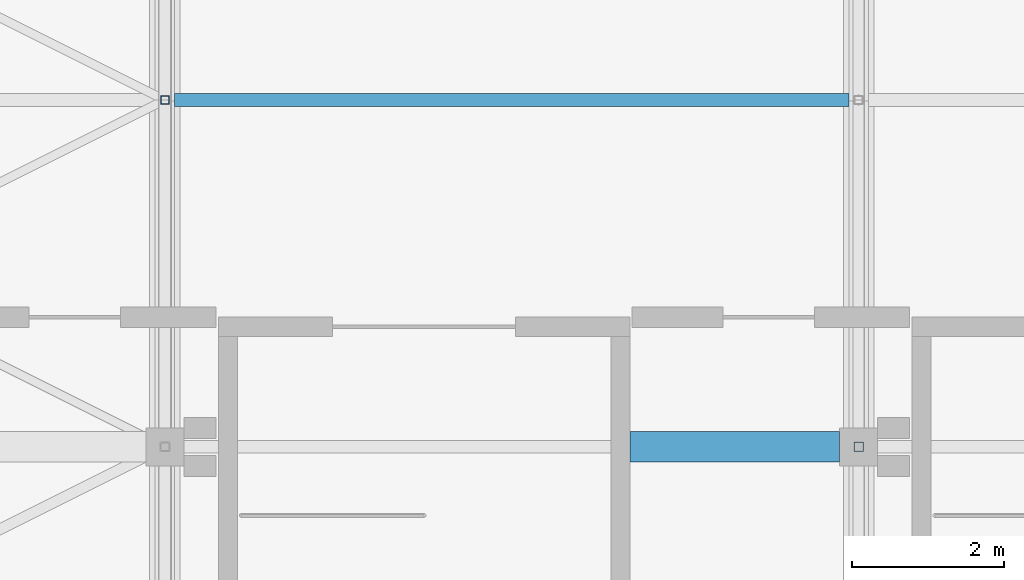
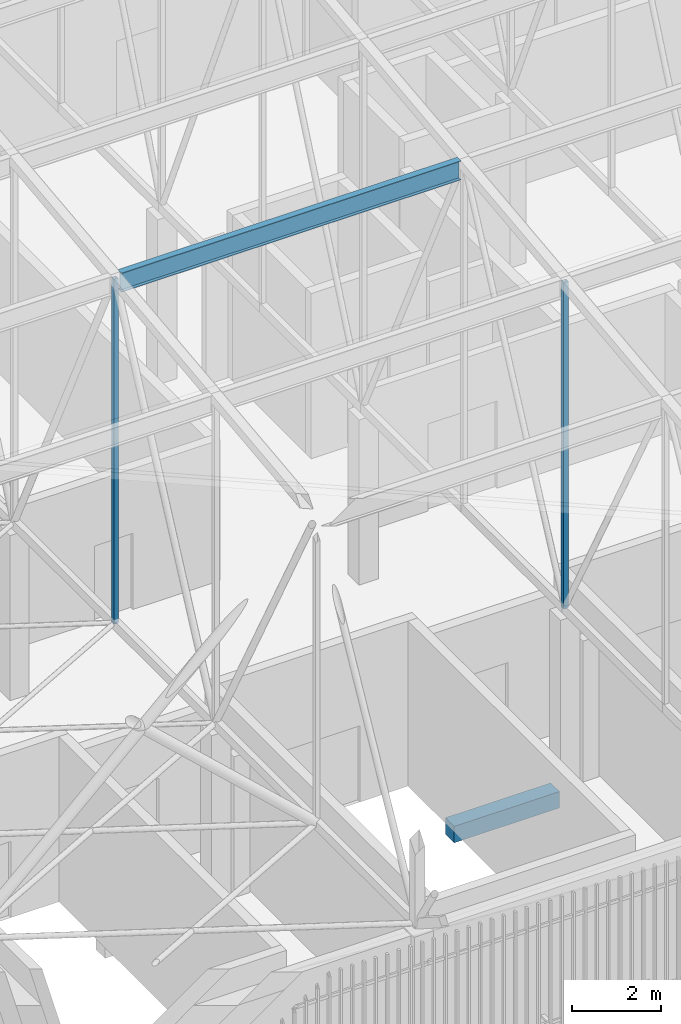
# One storey, part 19 of 500: 3 members, 1 beam.
"""IFC4 building model written with IfcOpenShell, lengths in metres."""

from ifc_helpers import new_model, si_unit, direction, frame, origin, origin_2d, place, context, subcontext, project, spatial, rectangle, hollow_rectangle, i_section, extrude, material, material_profile, profile_set, type_object, element, save


model = new_model("IFC4")

# Units and contexts
model_context = context("Model", 3, precision=1e-05, world=origin(), true_north=direction((0.0, 1.0)))
body_context = subcontext(model_context, "Body", "Model", "MODEL_VIEW")
ifc_project = project(units=[si_unit("LENGTHUNIT", "METRE"), si_unit("AREAUNIT", "SQUARE_METRE"), si_unit("VOLUMEUNIT", "CUBIC_METRE"), si_unit("PLANEANGLEUNIT", "RADIAN"), si_unit("MASSUNIT", "GRAM", prefix="KILO")], contexts=[model_context])

# Site, building, storey
site_placement = place(None, origin())
site = spatial("IfcSite", under=ifc_project, at=site_placement, CompositionType="ELEMENT")
building_placement = place(site_placement, origin())
building = spatial("IfcBuilding", under=site, at=building_placement, Name="Shirokan Park Arena", CompositionType="ELEMENT")
storey_placement = place(building_placement, frame((0.0, 0.0, 29.1201171875)))
storey = spatial("IfcBuildingStorey", under=building, at=storey_placement, Name="L06", CompositionType="ELEMENT", Elevation=29.1201171875)

# Member
ifc_material_1 = material(Name="Steel ASTM A992", Category="steel")
ifc_material_profile_1 = material_profile(ifc_material_1, i_section(OverallWidth=0.166015625, OverallDepth=0.528076171875, WebThickness=0.009765625, FlangeThickness=0.013671875, at=origin_2d()), Name="W530X74")
ifc_profile_set_1 = profile_set([ifc_material_profile_1], Name="Steel ASTM A992")
member_type_1 = type_object("IfcMemberType", Name="Purlin W530X74", PredefinedType="PURLIN", material=ifc_profile_set_1)
member_1_placement = place(storey_placement, frame((9.22705078125, 13.64990234375, 14.0458984375), z_axis=(1.0, 0.0, 0.0), x_axis=(0.0, 1.0, 0.0)))
element("IfcMember", 1, at=member_1_placement, inside=storey, type_object=member_type_1, Name="Purlin 6 bay 2", PredefinedType="PURLIN", context=body_context, shape_type="SweptSolid", body=[
    extrude(i_section(OverallWidth=0.166015625, OverallDepth=0.528076171875, WebThickness=0.009765625, FlangeThickness=0.013671875, at=origin_2d()), origin(), (0.0, 0.0, 1.0), 8.845947265625),
])

# Beam
ifc_material_2 = material(Name="Concrete C35", Category="concrete")
ifc_material_profile_2 = material_profile(ifc_material_2, rectangle(XDim=0.39990234375, YDim=0.449951171875, at=origin_2d()), Name="400x450")
ifc_profile_set_2 = profile_set([ifc_material_profile_2], Name="Concrete C35")
beam_type = type_object("IfcBeamType", Name="RC trimmer 400x450", PredefinedType="BEAM", material=ifc_profile_set_2)
beam_placement = place(storey_placement, frame((15.199951171875, 9.10009765625, -0.425048828125), z_axis=(1.0, 0.0, 0.0), x_axis=(0.0, 1.0, 0.0)))
element("IfcBeam", 2, at=beam_placement, inside=storey, type_object=beam_type, Name="Girder 2B-3B L06", PredefinedType="BEAM", context=body_context, shape_type="SweptSolid", body=[
    extrude(rectangle(XDim=0.39990234375, YDim=0.449951171875, at=origin_2d()), origin(), (0.0, 0.0, 1.0), 2.75),
])

# Members
ifc_material_3 = material(Name="Steel ASTM A500 Grade C", Category="steel")
ifc_material_profile_3 = material_profile(ifc_material_3, hollow_rectangle(XDim=0.114013671875, YDim=0.114013671875, WallThickness=0.00634765625, at=origin_2d()), Name="HSS114.3X114.3X6.4")
ifc_profile_set_3 = profile_set([ifc_material_profile_3], Name="Steel ASTM A500 Grade C")
member_type_2 = type_object("IfcMemberType", Name="Truss post HSS114.3X114.3X6.4", PredefinedType="POST", material=ifc_profile_set_3)
member_2_placement = place(storey_placement, frame((9.10009765625, 13.64990234375, 4.677001953125), z_axis=(0.0, 0.0, 1.0), x_axis=(1.0, 0.0, 0.0)))
element("IfcMember", 3, at=member_2_placement, inside=storey, type_object=member_type_2, Name="Truss T02 post 6", PredefinedType="POST", context=body_context, shape_type="SweptSolid", body=[
    extrude(hollow_rectangle(XDim=0.114013671875, YDim=0.114013671875, WallThickness=0.00634765625, at=origin_2d()), origin(), (0.0, 0.0, 1.0), 9.505859375),
])
ifc_material_profile_4 = material_profile(ifc_material_3, hollow_rectangle(XDim=0.126953125, YDim=0.126953125, WallThickness=0.008056640625, at=origin_2d()), Name="HSS127X127X7.9")
ifc_profile_set_4 = profile_set([ifc_material_profile_4], Name="Steel ASTM A500 Grade C")
member_type_3 = type_object("IfcMemberType", Name="Truss post HSS127X127X7.9", PredefinedType="POST", material=ifc_profile_set_4)
member_3_placement = place(storey_placement, frame((18.199951171875, 9.10009765625, 4.677001953125), z_axis=(0.0, 0.0, 1.0), x_axis=(1.0, 0.0, 0.0)))
element("IfcMember", 4, at=member_3_placement, inside=storey, type_object=member_type_3, Name="Truss T03 post 5", PredefinedType="POST", context=body_context, shape_type="SweptSolid", body=[
    extrude(hollow_rectangle(XDim=0.126953125, YDim=0.126953125, WallThickness=0.008056640625, at=origin_2d()), origin(), (0.0, 0.0, 1.0), 8.98583984375),
])

save(model, "model.ifc")
